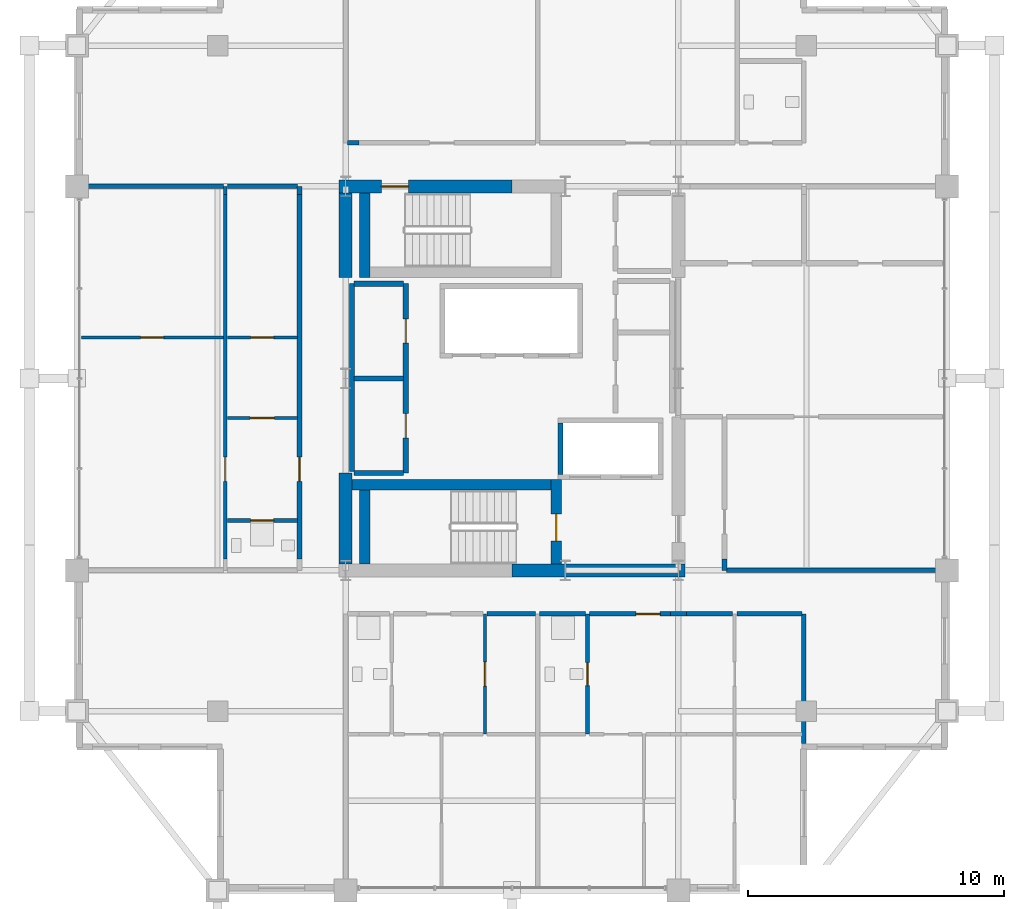
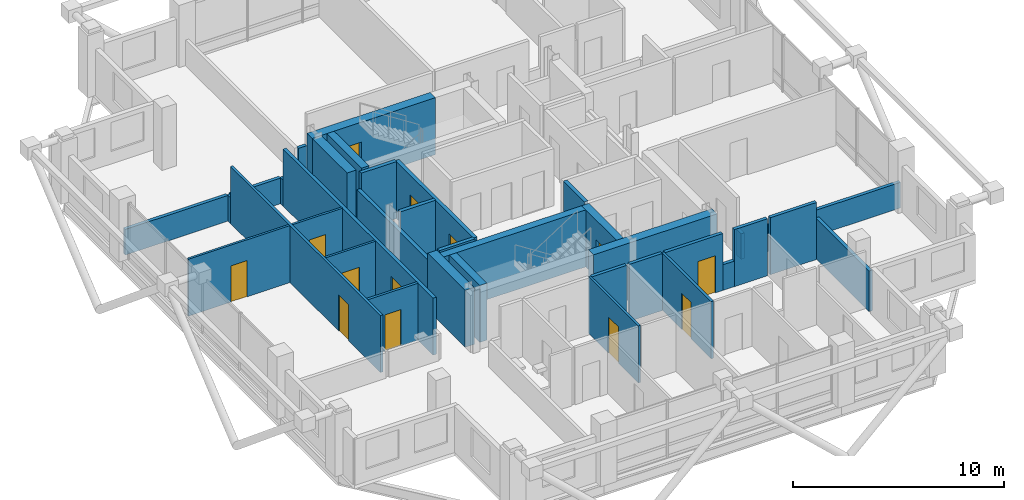
# One storey, part 20 of 25: 36 walls, 13 doors, 13 openings.
"""IFC4 building model written with IfcOpenShell, lengths in metres."""

from ifc_helpers import new_model, si_unit, direction, frame, frame_2d, origin, place, context, subcontext, project, spatial, rectangle, extrude, material, layer, layer_set, type_object, element, fill, save


model = new_model("IFC4")

# Units and contexts
model_context = context("Model", 3, precision=1e-05, world=origin(), true_north=direction((0.0, 1.0)))
body_context = subcontext(model_context, "Body", "Model", "MODEL_VIEW")
ifc_project = project(units=[si_unit("LENGTHUNIT", "METRE"), si_unit("AREAUNIT", "SQUARE_METRE"), si_unit("VOLUMEUNIT", "CUBIC_METRE"), si_unit("PLANEANGLEUNIT", "RADIAN"), si_unit("MASSUNIT", "GRAM", prefix="KILO")], contexts=[model_context])

# Site, building, storey
site_placement = place(None, origin())
site = spatial("IfcSite", under=ifc_project, at=site_placement, CompositionType="ELEMENT")
building_placement = place(site_placement, origin())
building = spatial("IfcBuilding", under=site, at=building_placement, Name="Barlavira Tower and Art Museum", CompositionType="ELEMENT")
storey_placement = place(building_placement, frame((0.0, 0.0, 301.5)))
storey = spatial("IfcBuildingStorey", under=building, at=storey_placement, Name="L79", CompositionType="ELEMENT", Elevation=301.5)

# Wall, opening, door
ifc_material_1 = material(Name="Gypsum acoustic stud partition", Category="gypsum")
ifc_layer_1 = layer(ifc_material_1, 0.1201171875, Name="Gypsum acoustic stud partition")
ifc_layer_set_1 = layer_set([ifc_layer_1], Name="Gypsum acoustic stud partition")
wall_type_1 = type_object("IfcWallType", Name="Apartment Internal Acoustic Partition 120", PredefinedType="PARTITIONING", material=ifc_layer_set_1)
wall_1_placement = place(storey_placement, frame((-1.050048828125, -13.89990234375, 0.0), z_axis=(0.0, 0.0, 1.0), x_axis=(0.0, 1.0, 0.0)))
wall_1 = element("IfcWall", 1, at=wall_1_placement, inside=storey, type_object=wall_type_1, Name="L79 Partition Wall 13", PredefinedType="PARTITIONING", context=body_context, shape_type="SweptSolid", body=[
    extrude(rectangle(XDim=4.699951171875, YDim=0.1201171875, at=frame_2d((2.35009765625, 0.0))), origin(), (0.0, 0.0, 1.0), 3.300048828125),
])
opening_1_placement = place(wall_1_placement, frame((1.875, 0.0, 0.0)))
opening_1 = element("IfcOpeningElement", 2, at=opening_1_placement, cuts=wall_1, Name="Opening D-02", PredefinedType="OPENING", context=body_context, shape_type="SweptSolid", body=[
    extrude(rectangle(XDim=0.949951171875, YDim=2.10009765625, at=frame_2d((0.47509765625, 1.050048828125))), frame((0.0, 0.070068359375, 0.0), z_axis=(0.0, -1.0, 0.0), x_axis=(1.0, 0.0, 0.0)), (0.0, 0.0, 1.0), 0.14013671875),
])
ifc_material_2 = material(Name="Engineered coastal hardwood", Category="wood")
door_type_1 = type_object("IfcDoorType", Name="Living and Salon Glazed-Leaf Door 950x2100", OperationType="NOTDEFINED", PredefinedType="DOOR", material=ifc_material_2)
door_1_placement = place(opening_1_placement, origin())
door_1 = element("IfcDoor", 3, at=door_1_placement, inside=storey, type_object=door_type_1, Name="Apartment S1 Kitchen Door", OperationType="SINGLE_SWING_LEFT", OverallHeight=2.10009765625, OverallWidth=0.949951171875, PredefinedType="DOOR", context=body_context, shape_type="SweptSolid", body=[
    extrude(rectangle(XDim=0.949951171875, YDim=2.10009765625, at=frame_2d((0.47509765625, 1.050048828125))), frame((0.0, 0.02490234375, 0.0), z_axis=(0.0, -1.0, 0.0), x_axis=(1.0, 0.0, 0.0)), (0.0, 0.0, 1.0), 0.050048828125),
])
fill(opening_1, door_1)

wall_2_placement = place(storey_placement, frame((-11.1201171875, -1.550048828125, 0.0), z_axis=(0.0, 0.0, 1.0), x_axis=(1.0, 0.0, 0.0)))
wall_2 = element("IfcWall", 4, at=wall_2_placement, inside=storey, type_object=wall_type_1, Name="L79 Partition Wall 55", PredefinedType="PARTITIONING", context=body_context, shape_type="SweptSolid", body=[
    extrude(rectangle(XDim=2.740234375, YDim=0.1201171875, at=frame_2d((1.3701171875, 0.0))), origin(), (0.0, 0.0, 1.0), 3.300048828125),
])
opening_2_placement = place(wall_2_placement, frame((0.885009765625, 0.0, 0.0)))
opening_2 = element("IfcOpeningElement", 5, at=opening_2_placement, cuts=wall_2, Name="Opening D-02", PredefinedType="OPENING", context=body_context, shape_type="SweptSolid", body=[
    extrude(rectangle(XDim=0.949951171875, YDim=2.10009765625, at=frame_2d((0.47509765625, 1.050048828125))), frame((0.0, 0.070068359375, 0.0), z_axis=(0.0, -1.0, 0.0), x_axis=(1.0, 0.0, 0.0)), (0.0, 0.0, 1.0), 0.14013671875),
])
door_2_placement = place(opening_2_placement, origin())
door_2 = element("IfcDoor", 6, at=door_2_placement, inside=storey, type_object=door_type_1, Name="Apartment W1 Kitchen Door", OperationType="SINGLE_SWING_RIGHT", OverallHeight=2.10009765625, OverallWidth=0.949951171875, PredefinedType="DOOR", context=body_context, shape_type="SweptSolid", body=[
    extrude(rectangle(XDim=0.949951171875, YDim=2.10009765625, at=frame_2d((0.47509765625, 1.050048828125))), frame((0.0, 0.02490234375, 0.0), z_axis=(0.0, -1.0, 0.0), x_axis=(1.0, 0.0, 0.0)), (0.0, 0.0, 1.0), 0.050048828125),
])
fill(opening_2, door_2)

wall_3_placement = place(storey_placement, frame((-16.820068359375, 1.60009765625, 0.0), z_axis=(0.0, 0.0, 1.0), x_axis=(1.0, 0.0, 0.0)))
wall_3 = element("IfcWall", 7, at=wall_3_placement, inside=storey, type_object=wall_type_1, Name="L79 Partition Wall 59", PredefinedType="PARTITIONING", context=body_context, shape_type="SweptSolid", body=[
    extrude(rectangle(XDim=5.5400390625, YDim=0.1201171875, at=frame_2d((2.77001953125, 0.0))), origin(), (0.0, 0.0, 1.0), 3.300048828125),
])
opening_3_placement = place(wall_3_placement, frame((2.31005859375, 0.0, 0.0)))
opening_3 = element("IfcOpeningElement", 8, at=opening_3_placement, cuts=wall_3, Name="Opening D-01", PredefinedType="OPENING", context=body_context, shape_type="SweptSolid", body=[
    extrude(rectangle(XDim=0.89990234375, YDim=2.10009765625, at=frame_2d((0.449951171875, 1.050048828125))), frame((0.0, 0.070068359375, 0.0), z_axis=(0.0, -1.0, 0.0), x_axis=(1.0, 0.0, 0.0)), (0.0, 0.0, 1.0), 0.14013671875),
])
door_type_2 = type_object("IfcDoorType", Name="Internal Bedroom Timber Flush Door 900x2100", OperationType="NOTDEFINED", PredefinedType="DOOR", material=ifc_material_2)
door_3_placement = place(opening_3_placement, origin())
door_3 = element("IfcDoor", 9, at=door_3_placement, inside=storey, type_object=door_type_2, Name="Apartment W1 Bedroom 1 Door", OperationType="SINGLE_SWING_LEFT", OverallHeight=2.10009765625, OverallWidth=0.89990234375, PredefinedType="DOOR", context=body_context, shape_type="SweptSolid", body=[
    extrude(rectangle(XDim=0.89990234375, YDim=2.10009765625, at=frame_2d((0.449951171875, 1.050048828125))), frame((0.0, 0.02490234375, 0.0), z_axis=(0.0, -1.0, 0.0), x_axis=(1.0, 0.0, 0.0)), (0.0, 0.0, 1.0), 0.050048828125),
])
fill(opening_3, door_3)

wall_4_placement = place(storey_placement, frame((-11.1201171875, 1.60009765625, 0.0), z_axis=(0.0, 0.0, 1.0), x_axis=(1.0, 0.0, 0.0)))
wall_4 = element("IfcWall", 10, at=wall_4_placement, inside=storey, type_object=wall_type_1, Name="L79 Partition Wall 60", PredefinedType="PARTITIONING", context=body_context, shape_type="SweptSolid", body=[
    extrude(rectangle(XDim=2.740234375, YDim=0.1201171875, at=frame_2d((1.3701171875, 0.0))), origin(), (0.0, 0.0, 1.0), 3.300048828125),
])
opening_4_placement = place(wall_4_placement, frame((0.909912109375, 0.0, 0.0)))
opening_4 = element("IfcOpeningElement", 11, at=opening_4_placement, cuts=wall_4, Name="Opening D-01", PredefinedType="OPENING", context=body_context, shape_type="SweptSolid", body=[
    extrude(rectangle(XDim=0.89990234375, YDim=2.10009765625, at=frame_2d((0.449951171875, 1.050048828125))), frame((0.0, 0.070068359375, 0.0), z_axis=(0.0, -1.0, 0.0), x_axis=(1.0, 0.0, 0.0)), (0.0, 0.0, 1.0), 0.14013671875),
])
door_4_placement = place(opening_4_placement, origin())
door_4 = element("IfcDoor", 12, at=door_4_placement, inside=storey, type_object=door_type_2, Name="Apartment W1 Study Door", OperationType="SINGLE_SWING_LEFT", OverallHeight=2.10009765625, OverallWidth=0.89990234375, PredefinedType="DOOR", context=body_context, shape_type="SweptSolid", body=[
    extrude(rectangle(XDim=0.89990234375, YDim=2.10009765625, at=frame_2d((0.449951171875, 1.050048828125))), frame((0.0, 0.02490234375, 0.0), z_axis=(0.0, -1.0, 0.0), x_axis=(1.0, 0.0, 0.0)), (0.0, 0.0, 1.0), 0.050048828125),
])
fill(opening_4, door_4)

# Wall
ifc_material_3 = material(Name="Concrete C60", Category="concrete")
ifc_layer_2 = layer(ifc_material_3, 0.5, Name="Concrete C60")
ifc_layer_set_2 = layer_set([ifc_layer_2], Name="Concrete C60")
wall_type_2 = type_object("IfcWallType", Name="Core Structural Shear Wall 500 Concrete C60", PredefinedType="SHEAR", material=ifc_layer_set_2)
wall_5_placement = place(storey_placement, frame((0.0, -7.5, 0.0), z_axis=(0.0, 0.0, 1.0), x_axis=(1.0, 0.0, 0.0)))
element("IfcWall", 13, at=wall_5_placement, inside=storey, type_object=wall_type_2, Name="L79 Core Shear Wall CS-SE", PredefinedType="SHEAR", context=body_context, shape_type="SweptSolid", body=[
    extrude(rectangle(XDim=6.75, YDim=0.5, at=frame_2d((3.375, 0.0))), origin(), (0.0, 0.0, 1.0), 3.300048828125),
])

# Wall, opening, door
wall_6_placement = place(storey_placement, frame((-6.75, 7.5, 0.0), z_axis=(0.0, 0.0, 1.0), x_axis=(1.0, 0.0, 0.0)))
wall_6 = element("IfcWall", 14, at=wall_6_placement, inside=storey, type_object=wall_type_2, Name="L79 Core Shear Wall CS-NW", PredefinedType="SHEAR", context=body_context, shape_type="SweptSolid", body=[
    extrude(rectangle(XDim=6.75, YDim=0.5, at=frame_2d((3.375, 0.0))), origin(), (0.0, 0.0, 1.0), 3.300048828125),
])
opening_5_placement = place(wall_6_placement, frame((1.64990234375, 0.0, 0.0)))
opening_5 = element("IfcOpeningElement", 15, at=opening_5_placement, cuts=wall_6, Name="Opening FD-90", PredefinedType="OPENING", context=body_context, shape_type="SweptSolid", body=[
    extrude(rectangle(XDim=1.050048828125, YDim=2.14990234375, at=frame_2d((0.52490234375, 1.074951171875))), frame((0.0, 0.260009765625, 0.0), z_axis=(0.0, -1.0, 0.0), x_axis=(1.0, 0.0, 0.0)), (0.0, 0.0, 1.0), 0.52001953125),
])
ifc_material_4 = material(Name="Brushed stainless steel", Category="steel")
door_type_3 = type_object("IfcDoorType", Name="Stair and Refuge Fire Door 1050x2150 FD90S", OperationType="NOTDEFINED", PredefinedType="DOOR", material=ifc_material_4)
door_5_placement = place(opening_5_placement, origin())
door_5 = element("IfcDoor", 16, at=door_5_placement, inside=storey, type_object=door_type_3, Name="L79 Stair ST-T2 Fire Door", OperationType="SINGLE_SWING_LEFT", OverallHeight=2.14990234375, OverallWidth=1.050048828125, PredefinedType="DOOR", context=body_context, shape_type="SweptSolid", body=[
    extrude(rectangle(XDim=1.050048828125, YDim=2.14990234375, at=frame_2d((0.52490234375, 1.074951171875))), frame((0.0, 0.02490234375, 0.0), z_axis=(0.0, -1.0, 0.0), x_axis=(1.0, 0.0, 0.0)), (0.0, 0.0, 1.0), 0.050048828125),
])
fill(opening_5, door_5)

# Walls
wall_7_placement = place(storey_placement, frame((-6.5, -7.25, 0.0), z_axis=(0.0, 0.0, 1.0), x_axis=(0.0, 1.0, 0.0)))
element("IfcWall", 17, at=wall_7_placement, inside=storey, type_object=wall_type_2, Name="L79 Core Shear Wall CS-W1", PredefinedType="SHEAR", context=body_context, shape_type="SweptSolid", body=[
    extrude(rectangle(XDim=3.550048828125, YDim=0.5, at=frame_2d((1.77490234375, 0.0))), origin(), (0.0, 0.0, 1.0), 3.300048828125),
])
wall_8_placement = place(storey_placement, frame((-6.5, 3.949951171875, 0.0), z_axis=(0.0, 0.0, 1.0), x_axis=(0.0, 1.0, 0.0)))
element("IfcWall", 18, at=wall_8_placement, inside=storey, type_object=wall_type_2, Name="L79 Core Shear Wall CS-W2", PredefinedType="SHEAR", context=body_context, shape_type="SweptSolid", body=[
    extrude(rectangle(XDim=3.300048828125, YDim=0.5, at=frame_2d((1.64990234375, 0.0))), origin(), (0.0, 0.0, 1.0), 3.300048828125),
])
ifc_material_5 = material(Name="Autoclaved aerated concrete masonry", Category="masonry")
ifc_layer_3 = layer(ifc_material_5, 0.199951171875, Name="Autoclaved aerated concrete masonry")
ifc_layer_set_3 = layer_set([ifc_layer_3], Name="Autoclaved aerated concrete masonry")
wall_type_3 = type_object("IfcWallType", Name="Fire Compartment and Shaft Wall 200", PredefinedType="SOLIDWALL", material=ifc_layer_set_3)
wall_9_placement = place(storey_placement, frame((1.89990234375, -3.75, 0.0), z_axis=(0.0, 0.0, 1.0), x_axis=(0.0, 1.0, 0.0)))
element("IfcWall", 19, at=wall_9_placement, inside=storey, type_object=wall_type_3, Name="L79 Firefighting Lift West Shaft Wall", PredefinedType="SOLIDWALL", context=body_context, shape_type="SweptSolid", body=[
    extrude(rectangle(XDim=2.0, YDim=0.199951171875, at=frame_2d((1.0, 0.0))), origin(), (0.0, 0.0, 1.0), 3.300048828125),
])
wall_10_placement = place(storey_placement, frame((-6.25, -3.639892578125, 0.0), z_axis=(0.0, 0.0, 1.0), x_axis=(0.0, 1.0, 0.0)))
element("IfcWall", 20, at=wall_10_placement, inside=storey, type_object=wall_type_3, Name="L79 Partition Wall 9", PredefinedType="SOLIDWALL", context=body_context, shape_type="SweptSolid", body=[
    extrude(rectangle(XDim=7.33984375, YDim=0.199951171875, at=frame_2d((3.669921875, 0.0))), origin(), (0.0, 0.0, 1.0), 2.35302734375),
])

# Wall, openings, doors
wall_11_placement = place(storey_placement, frame((-4.14990234375, -3.699951171875, 0.0), z_axis=(0.0, 0.0, 1.0), x_axis=(0.0, 1.0, 0.0)))
wall_11 = element("IfcWall", 21, at=wall_11_placement, inside=storey, type_object=wall_type_3, Name="L79 Partition Wall 11", PredefinedType="SOLIDWALL", context=body_context, shape_type="SweptSolid", body=[
    extrude(rectangle(XDim=7.39990234375, YDim=0.199951171875, at=frame_2d((3.699951171875, 0.0))), origin(), (0.0, 0.0, 1.0), 3.300048828125),
])
opening_6_placement = place(wall_11_placement, frame((1.375, 0.0, 0.0)))
opening_6 = element("IfcOpeningElement", 22, at=opening_6_placement, cuts=wall_11, Name="Opening FD-60", PredefinedType="OPENING", context=body_context, shape_type="SweptSolid", body=[
    extrude(rectangle(XDim=0.949951171875, YDim=2.14990234375, at=frame_2d((0.47509765625, 1.074951171875))), frame((0.0, 0.10986328125, 0.0), z_axis=(0.0, -1.0, 0.0), x_axis=(1.0, 0.0, 0.0)), (0.0, 0.0, 1.0), 0.219970703125),
])
opening_7_placement = place(wall_11_placement, frame((5.074951171875, 0.0, 0.0)))
opening_7 = element("IfcOpeningElement", 23, at=opening_7_placement, cuts=wall_11, Name="Opening FD-60", PredefinedType="OPENING", context=body_context, shape_type="SweptSolid", body=[
    extrude(rectangle(XDim=0.949951171875, YDim=2.14990234375, at=frame_2d((0.47509765625, 1.074951171875))), frame((0.0, 0.10986328125, 0.0), z_axis=(0.0, -1.0, 0.0), x_axis=(1.0, 0.0, 0.0)), (0.0, 0.0, 1.0), 0.219970703125),
])
door_type_4 = type_object("IfcDoorType", Name="Apartment Entrance and Riser Fire Door 950x2150 FD60S", OperationType="NOTDEFINED", PredefinedType="DOOR", material=ifc_material_4)
door_6_placement = place(opening_6_placement, origin())
door_6 = element("IfcDoor", 24, at=door_6_placement, inside=storey, type_object=door_type_4, Name="Reclaimed Core Linen and Amenity Store Door", OperationType="SINGLE_SWING_RIGHT", OverallHeight=2.14990234375, OverallWidth=0.949951171875, PredefinedType="DOOR", context=body_context, shape_type="SweptSolid", body=[
    extrude(rectangle(XDim=0.949951171875, YDim=2.14990234375, at=frame_2d((0.47509765625, 1.074951171875))), frame((0.0, 0.02490234375, 0.0), z_axis=(0.0, -1.0, 0.0), x_axis=(1.0, 0.0, 0.0)), (0.0, 0.0, 1.0), 0.050048828125),
])
fill(opening_6, door_6)
door_7_placement = place(opening_7_placement, origin())
door_7 = element("IfcDoor", 25, at=door_7_placement, inside=storey, type_object=door_type_4, Name="Reclaimed Core Telecom and BMS Room Door", OperationType="SINGLE_SWING_LEFT", OverallHeight=2.14990234375, OverallWidth=0.949951171875, PredefinedType="DOOR", context=body_context, shape_type="SweptSolid", body=[
    extrude(rectangle(XDim=0.949951171875, YDim=2.14990234375, at=frame_2d((0.47509765625, 1.074951171875))), frame((0.0, 0.02490234375, 0.0), z_axis=(0.0, -1.0, 0.0), x_axis=(1.0, 0.0, 0.0)), (0.0, 0.0, 1.0), 0.050048828125),
])
fill(opening_7, door_7)

# Walls
for number, where, z_axis, x_axis, name in (
    (26, (-6.169921875, -3.699951171875, 0.0), (0.0, 0.0, 1.0), (1.0, 0.0, 0.0), "L79 Partition Wall 54"),
    (27, (-6.169921875, 0.0, 0.0), (0.0, 0.0, 1.0), (1.0, 0.0, 0.0), "L79 Partition Wall 58"),
    (28, (-6.169921875, 3.699951171875, 0.0), (0.0, 0.0, 1.0), (1.0, 0.0, 0.0), "L79 Partition Wall 62"),
):
    element("IfcWall", number, at=place(storey_placement, frame(where, z_axis=z_axis, x_axis=x_axis)), inside=storey, type_object=wall_type_3, Name=name, PredefinedType="SOLIDWALL", context=body_context, shape_type="SweptSolid", body=[
        extrude(rectangle(XDim=1.93994140625, YDim=0.199951171875, at=frame_2d((0.969970703125, 0.0))), origin(), (0.0, 0.0, 1.0), 3.300048828125),
    ])

# Wall, opening, door
ifc_layer_4 = layer(ifc_material_1, 0.179931640625, Name="Gypsum acoustic stud partition")
ifc_layer_set_4 = layer_set([ifc_layer_4], Name="Gypsum acoustic stud partition")
wall_type_4 = type_object("IfcWallType", Name="Inter-Tenancy Party Partition Wall 180", PredefinedType="PARTITIONING", material=ifc_layer_set_4)
wall_12_placement = place(storey_placement, frame((-8.300048828125, -7.050048828125, 0.0), z_axis=(0.0, 0.0, 1.0), x_axis=(0.0, 1.0, 0.0)))
wall_12 = element("IfcWall", 29, at=wall_12_placement, inside=storey, type_object=wall_type_4, Name="L79 Partition Wall 5", PredefinedType="PARTITIONING", context=body_context, shape_type="SweptSolid", body=[
    extrude(rectangle(XDim=14.235107421875, YDim=0.179931640625, at=frame_2d((7.11767578125, 0.0))), origin(), (0.0, 0.0, 1.0), 3.300048828125),
])
opening_8_placement = place(wall_12_placement, frame((3.02490234375, 0.0, 0.0)))
opening_8 = element("IfcOpeningElement", 30, at=opening_8_placement, cuts=wall_12, Name="Opening FD-60", PredefinedType="OPENING", context=body_context, shape_type="SweptSolid", body=[
    extrude(rectangle(XDim=0.949951171875, YDim=2.14990234375, at=frame_2d((0.47509765625, 1.074951171875))), frame((0.0, 0.10009765625, 0.0), z_axis=(0.0, -1.0, 0.0), x_axis=(1.0, 0.0, 0.0)), (0.0, 0.0, 1.0), 0.199951171875),
])
door_8_placement = place(opening_8_placement, origin())
door_8 = element("IfcDoor", 31, at=door_8_placement, inside=storey, type_object=door_type_4, Name="Apartment Entrance Hall W1 Door", OperationType="SINGLE_SWING_LEFT", OverallHeight=2.14990234375, OverallWidth=0.949951171875, PredefinedType="DOOR", context=body_context, shape_type="SweptSolid", body=[
    extrude(rectangle(XDim=0.949951171875, YDim=2.14990234375, at=frame_2d((0.47509765625, 1.074951171875))), frame((0.0, 0.02490234375, 0.0), z_axis=(0.0, -1.0, 0.0), x_axis=(1.0, 0.0, 0.0)), (0.0, 0.0, 1.0), 0.050048828125),
])
fill(opening_8, door_8)

# Walls
wall_13_placement = place(storey_placement, frame((-8.300048828125, 7.18505859375, 0.0), z_axis=(0.0, 0.0, 1.0), x_axis=(0.0, 1.0, 0.0)))
element("IfcWall", 32, at=wall_13_placement, inside=storey, type_object=wall_type_4, Name="L79 Partition Wall 6", PredefinedType="PARTITIONING", context=body_context, shape_type="SweptSolid", body=[
    extrude(rectangle(XDim=0.31494140625, YDim=0.179931640625, at=frame_2d((0.157470703125, 0.0))), origin(), (0.0, 0.0, 1.0), 1.485107421875),
])
wall_14_placement = place(storey_placement, frame((8.300048828125, -7.5, 0.0), z_axis=(0.0, 0.0, 1.0), x_axis=(0.0, 1.0, 0.0)))
element("IfcWall", 33, at=wall_14_placement, inside=storey, type_object=wall_type_4, Name="L79 Partition Wall 22", PredefinedType="PARTITIONING", context=body_context, shape_type="SweptSolid", body=[
    extrude(rectangle(XDim=0.449951171875, YDim=0.179931640625, at=frame_2d((0.22509765625, 0.0))), origin(), (0.0, 0.0, 1.0), 1.485107421875),
])
wall_15_placement = place(storey_placement, frame((11.39990234375, -14.27001953125, 0.0), z_axis=(0.0, 0.0, 1.0), x_axis=(0.0, 1.0, 0.0)))
element("IfcWall", 34, at=wall_15_placement, inside=storey, type_object=wall_type_4, Name="L79 Partition Wall 26", PredefinedType="PARTITIONING", context=body_context, shape_type="SweptSolid", body=[
    extrude(rectangle(XDim=5.070068359375, YDim=0.179931640625, at=frame_2d((2.53515625, 0.0))), origin(), (0.0, 0.0, 1.0), 2.35302734375),
])
wall_16_placement = place(storey_placement, frame((-0.969970703125, -9.199951171875, 0.0), z_axis=(0.0, 0.0, 1.0), x_axis=(1.0, 0.0, 0.0)))
element("IfcWall", 35, at=wall_16_placement, inside=storey, type_object=wall_type_4, Name="L79 Partition Wall 44", PredefinedType="PARTITIONING", context=body_context, shape_type="SweptSolid", body=[
    extrude(rectangle(XDim=1.889892578125, YDim=0.179931640625, at=frame_2d((0.94482421875, 0.0))), origin(), (0.0, 0.0, 1.0), 3.300048828125),
])
wall_17_placement = place(storey_placement, frame((1.080078125, -9.199951171875, 0.0), z_axis=(0.0, 0.0, 1.0), x_axis=(1.0, 0.0, 0.0)))
element("IfcWall", 36, at=wall_17_placement, inside=storey, type_object=wall_type_4, Name="L79 Partition Wall 45", PredefinedType="PARTITIONING", context=body_context, shape_type="SweptSolid", body=[
    extrude(rectangle(XDim=1.7900390625, YDim=0.179931640625, at=frame_2d((0.89501953125, 0.0))), origin(), (0.0, 0.0, 1.0), 3.300048828125),
])

# Wall, opening, door
wall_18_placement = place(storey_placement, frame((3.030029296875, -9.199951171875, 0.0), z_axis=(0.0, 0.0, 1.0), x_axis=(1.0, 0.0, 0.0)))
wall_18 = element("IfcWall", 37, at=wall_18_placement, inside=storey, type_object=wall_type_4, Name="L79 Partition Wall 46", PredefinedType="PARTITIONING", context=body_context, shape_type="SweptSolid", body=[
    extrude(rectangle(XDim=3.155029296875, YDim=0.179931640625, at=frame_2d((1.57763671875, 0.0))), origin(), (0.0, 0.0, 1.0), 3.300048828125),
])
opening_9_placement = place(wall_18_placement, frame((1.80419921875, 0.0, 0.0)))
opening_9 = element("IfcOpeningElement", 38, at=opening_9_placement, cuts=wall_18, Name="Opening FD-60", PredefinedType="OPENING", context=body_context, shape_type="SweptSolid", body=[
    extrude(rectangle(XDim=0.949951171875, YDim=2.14990234375, at=frame_2d((0.47509765625, 1.074951171875))), frame((0.0, 0.10009765625, 0.0), z_axis=(0.0, -1.0, 0.0), x_axis=(1.0, 0.0, 0.0)), (0.0, 0.0, 1.0), 0.199951171875),
])
door_9_placement = place(opening_9_placement, origin())
door_9 = element("IfcDoor", 39, at=door_9_placement, inside=storey, type_object=door_type_4, Name="Apartment Entrance Hall S2 Door", OperationType="SINGLE_SWING_LEFT", OverallHeight=2.14990234375, OverallWidth=0.949951171875, PredefinedType="DOOR", context=body_context, shape_type="SweptSolid", body=[
    extrude(rectangle(XDim=0.949951171875, YDim=2.14990234375, at=frame_2d((0.47509765625, 1.074951171875))), frame((0.0, 0.02490234375, 0.0), z_axis=(0.0, -1.0, 0.0), x_axis=(1.0, 0.0, 0.0)), (0.0, 0.0, 1.0), 0.050048828125),
])
fill(opening_9, door_9)

# Walls
wall_19_placement = place(storey_placement, frame((6.18505859375, -9.199951171875, 0.0), z_axis=(0.0, 0.0, 1.0), x_axis=(1.0, 0.0, 0.0)))
element("IfcWall", 40, at=wall_19_placement, inside=storey, type_object=wall_type_4, Name="L79 Partition Wall 47", PredefinedType="PARTITIONING", context=body_context, shape_type="SweptSolid", body=[
    extrude(rectangle(XDim=0.6298828125, YDim=0.179931640625, at=frame_2d((0.31494140625, 0.0))), origin(), (0.0, 0.0, 1.0), 1.485107421875),
])
wall_20_placement = place(storey_placement, frame((6.81494140625, -9.199951171875, 0.0), z_axis=(0.0, 0.0, 1.0), x_axis=(1.0, 0.0, 0.0)))
element("IfcWall", 41, at=wall_20_placement, inside=storey, type_object=wall_type_4, Name="L79 Partition Wall 48", PredefinedType="PARTITIONING", context=body_context, shape_type="SweptSolid", body=[
    extrude(rectangle(XDim=1.80517578125, YDim=0.179931640625, at=frame_2d((0.902587890625, 0.0))), origin(), (0.0, 0.0, 1.0), 3.300048828125),
])
wall_21_placement = place(storey_placement, frame((8.780029296875, -9.199951171875, 0.0), z_axis=(0.0, 0.0, 1.0), x_axis=(1.0, 0.0, 0.0)))
element("IfcWall", 42, at=wall_21_placement, inside=storey, type_object=wall_type_4, Name="L79 Partition Wall 49", PredefinedType="PARTITIONING", context=body_context, shape_type="SweptSolid", body=[
    extrude(rectangle(XDim=2.5400390625, YDim=0.179931640625, at=frame_2d((1.27001953125, 0.0))), origin(), (0.0, 0.0, 1.0), 3.300048828125),
])
wall_22_placement = place(storey_placement, frame((8.3798828125, -7.5, 0.0), z_axis=(0.0, 0.0, 1.0), x_axis=(1.0, 0.0, 0.0)))
element("IfcWall", 43, at=wall_22_placement, inside=storey, type_object=wall_type_4, Name="L79 Partition Wall 52", PredefinedType="PARTITIONING", context=body_context, shape_type="SweptSolid", body=[
    extrude(rectangle(XDim=8.52001953125, YDim=0.179931640625, at=frame_2d((4.260009765625, 0.0))), origin(), (0.0, 0.0, 1.0), 1.485107421875),
])
wall_23_placement = place(storey_placement, frame((-16.89990234375, 7.5, 0.0), z_axis=(0.0, 0.0, 1.0), x_axis=(1.0, 0.0, 0.0)))
element("IfcWall", 44, at=wall_23_placement, inside=storey, type_object=wall_type_4, Name="L79 Partition Wall 68", PredefinedType="PARTITIONING", context=body_context, shape_type="SweptSolid", body=[
    extrude(rectangle(XDim=5.619873046875, YDim=0.179931640625, at=frame_2d((2.81005859375, 0.0))), origin(), (0.0, 0.0, 1.0), 1.485107421875),
])
wall_24_placement = place(storey_placement, frame((-11.1201171875, 7.5, 0.0), z_axis=(0.0, 0.0, 1.0), x_axis=(1.0, 0.0, 0.0)))
element("IfcWall", 45, at=wall_24_placement, inside=storey, type_object=wall_type_4, Name="L79 Partition Wall 69", PredefinedType="PARTITIONING", context=body_context, shape_type="SweptSolid", body=[
    extrude(rectangle(XDim=2.740234375, YDim=0.179931640625, at=frame_2d((1.3701171875, 0.0))), origin(), (0.0, 0.0, 1.0), 1.485107421875),
])
wall_25_placement = place(storey_placement, frame((-6.419921875, 9.199951171875, 0.0), z_axis=(0.0, 0.0, 1.0), x_axis=(1.0, 0.0, 0.0)))
element("IfcWall", 46, at=wall_25_placement, inside=storey, type_object=wall_type_4, Name="L79 Partition Wall 73", PredefinedType="PARTITIONING", context=body_context, shape_type="SweptSolid", body=[
    extrude(rectangle(XDim=0.449951171875, YDim=0.179931640625, at=frame_2d((0.22509765625, 0.0))), origin(), (0.0, 0.0, 1.0), 1.485107421875),
])

# Wall, opening, door
ifc_layer_5 = layer(ifc_material_1, 0.139892578125, Name="Gypsum acoustic stud partition")
ifc_layer_set_5 = layer_set([ifc_layer_5], Name="Gypsum acoustic stud partition")
wall_type_5 = type_object("IfcWallType", Name="Moisture-Resistant Bathroom Partition 140", PredefinedType="PARTITIONING", material=ifc_layer_set_5)
wall_26_placement = place(storey_placement, frame((-11.199951171875, -7.050048828125, 0.0), z_axis=(0.0, 0.0, 1.0), x_axis=(0.0, 1.0, 0.0)))
wall_26 = element("IfcWall", 47, at=wall_26_placement, inside=storey, type_object=wall_type_5, Name="L79 Partition Wall 2", PredefinedType="PARTITIONING", context=body_context, shape_type="SweptSolid", body=[
    extrude(rectangle(XDim=14.235107421875, YDim=0.139892578125, at=frame_2d((7.11767578125, 0.0))), origin(), (0.0, 0.0, 1.0), 3.300048828125),
])
opening_10_placement = place(wall_26_placement, frame((3.02490234375, 0.0, 0.0)))
opening_10 = element("IfcOpeningElement", 48, at=opening_10_placement, cuts=wall_26, Name="Opening D-02", PredefinedType="OPENING", context=body_context, shape_type="SweptSolid", body=[
    extrude(rectangle(XDim=0.949951171875, YDim=2.10009765625, at=frame_2d((0.47509765625, 1.050048828125))), frame((0.0, 0.080078125, 0.0), z_axis=(0.0, -1.0, 0.0), x_axis=(1.0, 0.0, 0.0)), (0.0, 0.0, 1.0), 0.159912109375),
])
door_10_placement = place(opening_10_placement, origin())
door_10 = element("IfcDoor", 49, at=door_10_placement, inside=storey, type_object=door_type_1, Name="Apartment W1 Living Lounge Door", OperationType="SINGLE_SWING_RIGHT", OverallHeight=2.10009765625, OverallWidth=0.949951171875, PredefinedType="DOOR", context=body_context, shape_type="SweptSolid", body=[
    extrude(rectangle(XDim=0.949951171875, YDim=2.10009765625, at=frame_2d((0.47509765625, 1.050048828125))), frame((0.0, 0.02490234375, 0.0), z_axis=(0.0, -1.0, 0.0), x_axis=(1.0, 0.0, 0.0)), (0.0, 0.0, 1.0), 0.050048828125),
])
fill(opening_10, door_10)

# Wall
wall_27_placement = place(storey_placement, frame((-11.199951171875, 7.18505859375, 0.0), z_axis=(0.0, 0.0, 1.0), x_axis=(0.0, 1.0, 0.0)))
element("IfcWall", 50, at=wall_27_placement, inside=storey, type_object=wall_type_5, Name="L79 Partition Wall 3", PredefinedType="PARTITIONING", context=body_context, shape_type="SweptSolid", body=[
    extrude(rectangle(XDim=0.31494140625, YDim=0.139892578125, at=frame_2d((0.157470703125, 0.0))), origin(), (0.0, 0.0, 1.0), 1.485107421875),
])

# Wall, opening, door
wall_28_placement = place(storey_placement, frame((2.949951171875, -13.89990234375, 0.0), z_axis=(0.0, 0.0, 1.0), x_axis=(0.0, 1.0, 0.0)))
wall_28 = element("IfcWall", 51, at=wall_28_placement, inside=storey, type_object=wall_type_5, Name="L79 Partition Wall 16", PredefinedType="PARTITIONING", context=body_context, shape_type="SweptSolid", body=[
    extrude(rectangle(XDim=4.699951171875, YDim=0.139892578125, at=frame_2d((2.35009765625, 0.0))), origin(), (0.0, 0.0, 1.0), 3.300048828125),
])
opening_11_placement = place(wall_28_placement, frame((1.89990234375, 0.0, 0.0)))
opening_11 = element("IfcOpeningElement", 52, at=opening_11_placement, cuts=wall_28, Name="Opening D-WC", PredefinedType="OPENING", context=body_context, shape_type="SweptSolid", body=[
    extrude(rectangle(XDim=0.89990234375, YDim=2.10009765625, at=frame_2d((0.449951171875, 1.050048828125))), frame((0.0, 0.080078125, 0.0), z_axis=(0.0, -1.0, 0.0), x_axis=(1.0, 0.0, 0.0)), (0.0, 0.0, 1.0), 0.159912109375),
])
door_type_5 = type_object("IfcDoorType", Name="Accessible Bathroom Flush Door 900x2100", OperationType="NOTDEFINED", PredefinedType="DOOR", material=ifc_material_2)
door_11_placement = place(opening_11_placement, origin())
door_11 = element("IfcDoor", 53, at=door_11_placement, inside=storey, type_object=door_type_5, Name="Apartment S2 Hall Bathroom Door", OperationType="SINGLE_SWING_RIGHT", OverallHeight=2.10009765625, OverallWidth=0.89990234375, PredefinedType="DOOR", context=body_context, shape_type="SweptSolid", body=[
    extrude(rectangle(XDim=0.89990234375, YDim=2.10009765625, at=frame_2d((0.449951171875, 1.050048828125))), frame((0.0, 0.02490234375, 0.0), z_axis=(0.0, -1.0, 0.0), x_axis=(1.0, 0.0, 0.0)), (0.0, 0.0, 1.0), 0.050048828125),
])
fill(opening_11, door_11)

wall_29_placement = place(storey_placement, frame((-11.1201171875, -5.550048828125, 0.0), z_axis=(0.0, 0.0, 1.0), x_axis=(1.0, 0.0, 0.0)))
wall_29 = element("IfcWall", 54, at=wall_29_placement, inside=storey, type_object=wall_type_5, Name="L79 Partition Wall 53", PredefinedType="PARTITIONING", context=body_context, shape_type="SweptSolid", body=[
    extrude(rectangle(XDim=2.740234375, YDim=0.139892578125, at=frame_2d((1.3701171875, 0.0))), origin(), (0.0, 0.0, 1.0), 3.300048828125),
])
opening_12_placement = place(wall_29_placement, frame((0.909912109375, 0.0, 0.0)))
opening_12 = element("IfcOpeningElement", 55, at=opening_12_placement, cuts=wall_29, Name="Opening D-WC", PredefinedType="OPENING", context=body_context, shape_type="SweptSolid", body=[
    extrude(rectangle(XDim=0.89990234375, YDim=2.10009765625, at=frame_2d((0.449951171875, 1.050048828125))), frame((0.0, 0.080078125, 0.0), z_axis=(0.0, -1.0, 0.0), x_axis=(1.0, 0.0, 0.0)), (0.0, 0.0, 1.0), 0.159912109375),
])
door_12_placement = place(opening_12_placement, origin())
door_12 = element("IfcDoor", 56, at=door_12_placement, inside=storey, type_object=door_type_5, Name="Apartment W1 Hall Bathroom Door", OperationType="SINGLE_SWING_RIGHT", OverallHeight=2.10009765625, OverallWidth=0.89990234375, PredefinedType="DOOR", context=body_context, shape_type="SweptSolid", body=[
    extrude(rectangle(XDim=0.89990234375, YDim=2.10009765625, at=frame_2d((0.449951171875, 1.050048828125))), frame((0.0, 0.02490234375, 0.0), z_axis=(0.0, -1.0, 0.0), x_axis=(1.0, 0.0, 0.0)), (0.0, 0.0, 1.0), 0.050048828125),
])
fill(opening_12, door_12)

# Walls
ifc_material_6 = material(Name="Concrete C55", Category="concrete")
ifc_layer_6 = layer(ifc_material_6, 0.39990234375, Name="Concrete C55")
ifc_layer_set_6 = layer_set([ifc_layer_6], Name="Concrete C55")
wall_type_6 = type_object("IfcWallType", Name="Upper Core Shear Wall 400 Concrete C55", PredefinedType="SHEAR", material=ifc_layer_set_6)
wall_30_placement = place(storey_placement, frame((-5.75, -7.25, 0.0), z_axis=(0.0, 0.0, 1.0), x_axis=(0.0, 1.0, 0.0)))
element("IfcWall", 57, at=wall_30_placement, inside=storey, type_object=wall_type_6, Name="L79 ST-T1 West Half-Landing Wall", PredefinedType="SHEAR", context=body_context, shape_type="SweptSolid", body=[
    extrude(rectangle(XDim=2.89990234375, YDim=0.39990234375, at=frame_2d((1.449951171875, 0.0))), origin(), (0.0, 0.0, 1.0), 3.300048828125),
])
wall_31_placement = place(storey_placement, frame((-6.25, -4.14990234375, 0.0), z_axis=(0.0, 0.0, 1.0), x_axis=(1.0, 0.0, 0.0)))
element("IfcWall", 58, at=wall_31_placement, inside=storey, type_object=wall_type_6, Name="L79 ST-T1 North Shaft Wall", PredefinedType="SHEAR", context=body_context, shape_type="SweptSolid", body=[
    extrude(rectangle(XDim=7.780029296875, YDim=0.39990234375, at=frame_2d((3.89013671875, 0.0))), origin(), (0.0, 0.0, 1.0), 3.300048828125),
])

# Wall, opening, door
wall_32_placement = place(storey_placement, frame((1.72998046875, -7.25, 0.0), z_axis=(0.0, 0.0, 1.0), x_axis=(0.0, 1.0, 0.0)))
wall_32 = element("IfcWall", 59, at=wall_32_placement, inside=storey, type_object=wall_type_6, Name="L79 ST-T1 East Landing Wall", PredefinedType="SHEAR", context=body_context, shape_type="SweptSolid", body=[
    extrude(rectangle(XDim=3.300048828125, YDim=0.39990234375, at=frame_2d((1.64990234375, 0.0))), origin(), (0.0, 0.0, 1.0), 3.300048828125),
])
opening_13_placement = place(wall_32_placement, frame((0.89990234375, 0.0, 0.0)))
opening_13 = element("IfcOpeningElement", 60, at=opening_13_placement, cuts=wall_32, Name="Opening FD-90", PredefinedType="OPENING", context=body_context, shape_type="SweptSolid", body=[
    extrude(rectangle(XDim=1.050048828125, YDim=2.14990234375, at=frame_2d((0.52490234375, 1.074951171875))), frame((0.0, 0.2099609375, 0.0), z_axis=(0.0, -1.0, 0.0), x_axis=(1.0, 0.0, 0.0)), (0.0, 0.0, 1.0), 0.419921875),
])
door_13_placement = place(opening_13_placement, origin())
door_13 = element("IfcDoor", 61, at=door_13_placement, inside=storey, type_object=door_type_3, Name="L79 Stair ST-T1 Fire Door", OperationType="SINGLE_SWING_RIGHT", OverallHeight=2.14990234375, OverallWidth=1.050048828125, PredefinedType="DOOR", context=body_context, shape_type="SweptSolid", body=[
    extrude(rectangle(XDim=1.050048828125, YDim=2.14990234375, at=frame_2d((0.52490234375, 1.074951171875))), frame((0.0, 0.02490234375, 0.0), z_axis=(0.0, -1.0, 0.0), x_axis=(1.0, 0.0, 0.0)), (0.0, 0.0, 1.0), 0.050048828125),
])
fill(opening_13, door_13)

# Wall
wall_33_placement = place(storey_placement, frame((-5.75, 3.949951171875, 0.0), z_axis=(0.0, 0.0, 1.0), x_axis=(0.0, 1.0, 0.0)))
element("IfcWall", 62, at=wall_33_placement, inside=storey, type_object=wall_type_6, Name="L79 ST-T2 West Shaft Wall", PredefinedType="SHEAR", context=body_context, shape_type="SweptSolid", body=[
    extrude(rectangle(XDim=3.300048828125, YDim=0.39990234375, at=frame_2d((1.64990234375, 0.0))), origin(), (0.0, 0.0, 1.0), 3.300048828125),
])

save(model, "model.ifc")
